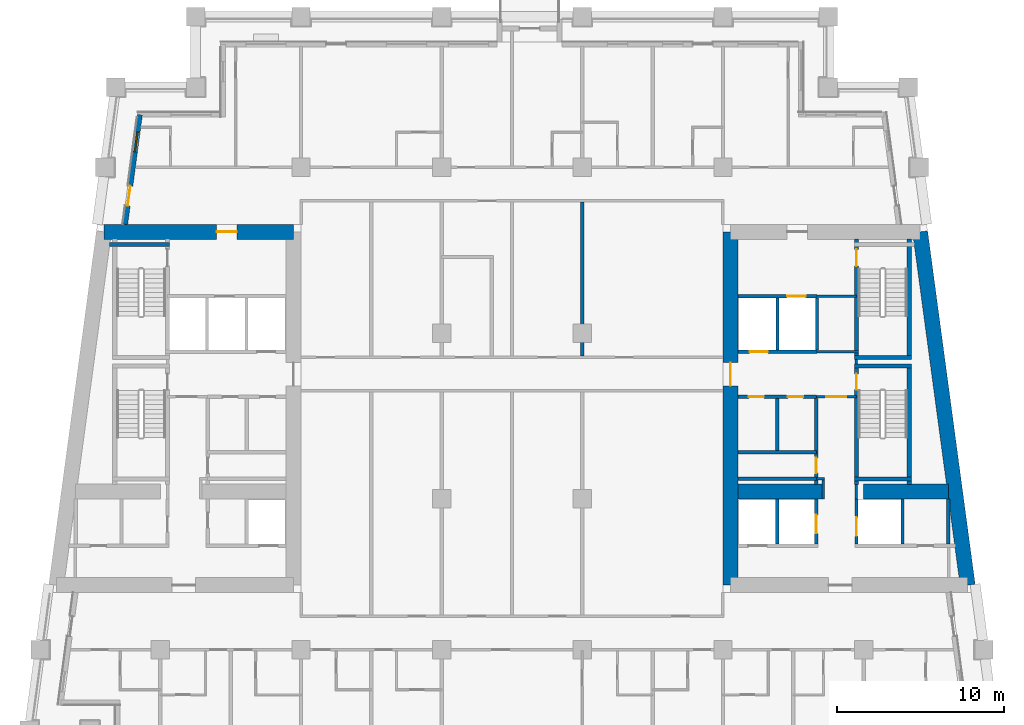
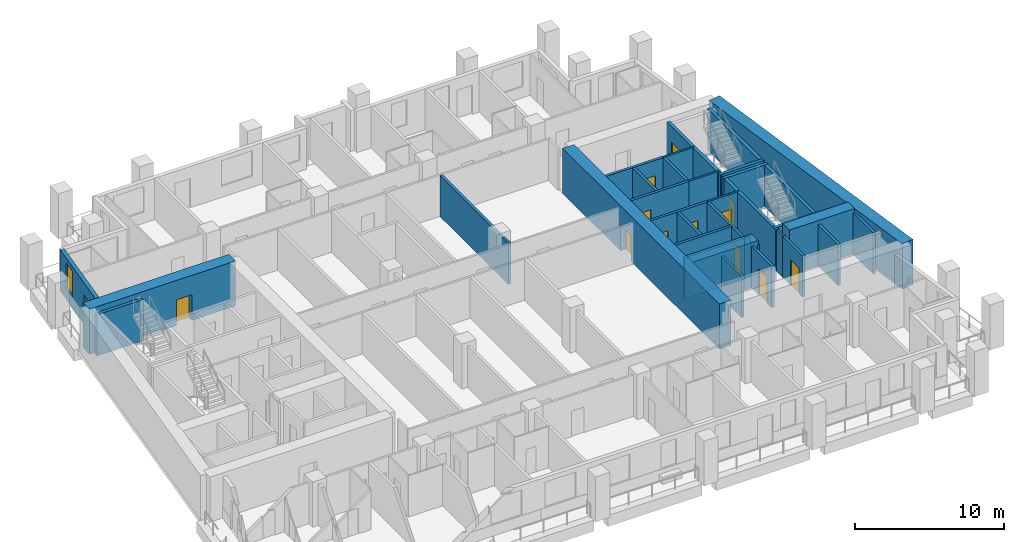
# One storey, part 6 of 14: 36 walls, 13 doors, 1 window, 14 openings.
"""IFC4 building model written with IfcOpenShell, lengths in metres."""

from ifc_helpers import new_model, si_unit, direction, frame, frame_2d, origin, place, context, subcontext, project, spatial, rectangle, extrude, material, layer, layer_set, type_object, element, fill, save


model = new_model("IFC4")

# Units and contexts
model_context = context("Model", 3, precision=1e-05, world=origin(), true_north=direction((0.0, 1.0)))
body_context = subcontext(model_context, "Body", "Model", "MODEL_VIEW")
ifc_project = project(units=[si_unit("LENGTHUNIT", "METRE"), si_unit("AREAUNIT", "SQUARE_METRE"), si_unit("VOLUMEUNIT", "CUBIC_METRE"), si_unit("PLANEANGLEUNIT", "RADIAN"), si_unit("MASSUNIT", "GRAM", prefix="KILO")], contexts=[model_context])

# Site, building, storey
site_placement = place(None, origin())
site = spatial("IfcSite", under=ifc_project, at=site_placement, CompositionType="ELEMENT")
building_placement = place(site_placement, origin())
building = spatial("IfcBuilding", under=site, at=building_placement, Name="Candeia Pilgrim Tower and Theatre", CompositionType="ELEMENT")
storey_placement = place(building_placement, frame((0.0, 0.0, 173.699951171875)))
storey = spatial("IfcBuildingStorey", under=building, at=storey_placement, Name="L41", CompositionType="ELEMENT", Elevation=173.699951171875)

# Wall, opening, door
ifc_material_1 = material(Name="Concrete C60/75", Category="concrete")
ifc_layer_1 = layer(ifc_material_1, 0.89990234375)
ifc_layer_set_1 = layer_set([ifc_layer_1], Name="Core wall 900 C60/75")
wall_type_1 = type_object("IfcWallType", Name="Core wall 900 C60/75", PredefinedType="SHEAR", material=ifc_layer_set_1)
wall_1_placement = place(storey_placement, frame((89.024169921875, 131.949951171875, 0.0), z_axis=(0.0, 0.0, 1.0), x_axis=(1.0, 0.0, 0.0)))
wall_1 = element("IfcWall", 1, at=wall_1_placement, inside=storey, type_object=wall_type_1, Name="Core wall W1", PredefinedType="SHEAR", context=body_context, shape_type="SweptSolid", body=[
    extrude(rectangle(XDim=11.325927734375, YDim=0.89990234375, at=frame_2d((5.6630859375, 0.0))), origin(), (0.0, 0.0, 1.0), 3.699951171875),
])
opening_1_placement = place(wall_1_placement, frame((6.7392578125, 0.0, 0.0)))
opening_1 = element("IfcOpeningElement", 2, at=opening_1_placement, cuts=wall_1, Name="Opening L41-D065", PredefinedType="OPENING", context=body_context, shape_type="SweptSolid", body=[
    extrude(rectangle(XDim=1.199951171875, YDim=2.10009765625, at=frame_2d((0.60009765625, 1.050048828125))), frame((0.0, 0.4599609375, 0.0), z_axis=(0.0, -1.0, 0.0), x_axis=(1.0, 0.0, 0.0)), (0.0, 0.0, 1.0), 0.919921875),
])
ifc_material_2 = material(Name="Steel fire door set", Category="steel")
door_type_1 = type_object("IfcDoorType", Name="D-1200-FD60", OperationType="NOTDEFINED", PredefinedType="DOOR", material=ifc_material_2)
door_1_placement = place(opening_1_placement, origin())
door_1 = element("IfcDoor", 3, at=door_1_placement, inside=storey, type_object=door_type_1, Name="Door L41-D065", OperationType="SINGLE_SWING_RIGHT", OverallHeight=2.10009765625, OverallWidth=1.199951171875, PredefinedType="DOOR", context=body_context, shape_type="SweptSolid", body=[
    extrude(rectangle(XDim=1.199951171875, YDim=2.10009765625, at=frame_2d((0.60009765625, 1.050048828125))), frame((0.0, 0.02490234375, 0.0), z_axis=(0.0, -1.0, 0.0), x_axis=(1.0, 0.0, 0.0)), (0.0, 0.0, 1.0), 0.050048828125),
])
fill(opening_1, door_1)

# Wall
wall_2_placement = place(storey_placement, frame((137.775634765625, 131.949951171875, 0.0), z_axis=(0.0, 0.0, 1.0), x_axis=(0.133421759112, -0.991059349482, 0.0)))
element("IfcWall", 4, at=wall_2_placement, inside=storey, type_object=wall_type_1, Name="Core wall E2", PredefinedType="SHEAR", context=body_context, shape_type="SweptSolid", body=[
    extrude(rectangle(XDim=21.290283203125, YDim=0.89990234375, at=frame_2d((10.64501953125, 0.0))), origin(), (0.0, 0.0, 1.0), 3.699951171875),
])

# Wall, opening, door
wall_3_placement = place(storey_placement, frame((126.449951171875, 110.85009765625, 0.0), z_axis=(0.0, 0.0, 1.0), x_axis=(0.0, 1.0, 0.0)))
wall_3 = element("IfcWall", 5, at=wall_3_placement, inside=storey, type_object=wall_type_1, Name="Core wall E4", PredefinedType="SHEAR", context=body_context, shape_type="SweptSolid", body=[
    extrude(rectangle(XDim=21.099853515625, YDim=0.89990234375, at=frame_2d((10.5498046875, 0.0))), origin(), (0.0, 0.0, 1.0), 3.699951171875),
])
opening_2_placement = place(wall_3_placement, frame((11.89990234375, 0.0, 0.0)))
opening_2 = element("IfcOpeningElement", 6, at=opening_2_placement, cuts=wall_3, Name="Opening L41-D069", PredefinedType="OPENING", context=body_context, shape_type="SweptSolid", body=[
    extrude(rectangle(XDim=1.39990234375, YDim=2.10009765625, at=frame_2d((0.699951171875, 1.050048828125))), frame((0.0, 0.4599609375, 0.0), z_axis=(0.0, -1.0, 0.0), x_axis=(1.0, 0.0, 0.0)), (0.0, 0.0, 1.0), 0.919921875),
])
door_type_2 = type_object("IfcDoorType", Name="D-1400-FD60", OperationType="NOTDEFINED", PredefinedType="DOOR", material=ifc_material_2)
door_2_placement = place(opening_2_placement, origin())
door_2 = element("IfcDoor", 7, at=door_2_placement, inside=storey, type_object=door_type_2, Name="Door L41-D069", OperationType="SINGLE_SWING_RIGHT", OverallHeight=2.10009765625, OverallWidth=1.39990234375, PredefinedType="DOOR", context=body_context, shape_type="SweptSolid", body=[
    extrude(rectangle(XDim=1.39990234375, YDim=2.10009765625, at=frame_2d((0.699951171875, 1.050048828125))), frame((0.0, 0.02490234375, 0.0), z_axis=(0.0, -1.0, 0.0), x_axis=(1.0, 0.0, 0.0)), (0.0, 0.0, 1.0), 0.050048828125),
])
fill(opening_2, door_2)

# Walls
wall_4_placement = place(storey_placement, frame((126.89990234375, 116.449951171875, 0.0), z_axis=(0.0, 0.0, 1.0), x_axis=(1.0, 0.0, 0.0)))
element("IfcWall", 8, at=wall_4_placement, inside=storey, type_object=wall_type_1, Name="Core wall E5", PredefinedType="SHEAR", context=body_context, shape_type="SweptSolid", body=[
    extrude(rectangle(XDim=5.10009765625, YDim=0.89990234375, at=frame_2d((2.550048828125, 0.0))), origin(), (0.0, 0.0, 1.0), 3.699951171875),
])
wall_5_placement = place(storey_placement, frame((134.39990234375, 116.449951171875, 0.0), z_axis=(0.0, 0.0, 1.0), x_axis=(1.0, 0.0, 0.0)))
element("IfcWall", 9, at=wall_5_placement, inside=storey, type_object=wall_type_1, Name="Core wall E6", PredefinedType="SHEAR", context=body_context, shape_type="SweptSolid", body=[
    extrude(rectangle(XDim=5.076904296875, YDim=0.89990234375, at=frame_2d((2.53857421875, 0.0))), origin(), (0.0, 0.0, 1.0), 3.699951171875),
])

# Wall, openings, door, window
ifc_material_3 = material(Name="Ceramic block masonry", Category="masonry")
ifc_layer_2 = layer(ifc_material_3, 0.300048828125)
ifc_layer_set_2 = layer_set([ifc_layer_2], Name="EW1 glazing-line wall 300")
wall_type_2 = type_object("IfcWallType", Name="EW1 glazing-line wall 300", PredefinedType="SOLIDWALL", material=ifc_layer_set_2)
wall_6_placement = place(storey_placement, frame((91.177490234375, 138.949951171875, 0.0), z_axis=(0.0, 0.0, 1.0), x_axis=(-0.133426664613, -0.991058689065, 0.0)))
wall_6 = element("IfcWall", 10, at=wall_6_placement, inside=storey, type_object=wall_type_2, Name="External wall L41-9.0", PredefinedType="SOLIDWALL", context=body_context, shape_type="SweptSolid", body=[
    extrude(rectangle(XDim=6.609130859375, YDim=0.300048828125, at=frame_2d((3.3046875, 0.0))), origin(), (0.0, 0.0, 1.0), 3.380126953125),
])
opening_3_placement = place(wall_6_placement, frame((1.039306640625, 0.0, 0.89990234375)))
opening_3 = element("IfcOpeningElement", 11, at=opening_3_placement, cuts=wall_6, Name="Opening W-B", PredefinedType="OPENING", context=body_context, shape_type="SweptSolid", body=[
    extrude(rectangle(XDim=1.199951171875, YDim=2.10009765625, at=frame_2d((0.60009765625, 1.050048828125))), frame((0.0, 0.16015625, 0.0), z_axis=(0.0, -1.0, 0.0), x_axis=(1.0, 0.0, 0.0)), (0.0, 0.0, 1.0), 0.320068359375),
])
opening_4_placement = place(wall_6_placement, frame((4.293701171875, 0.0, 0.0)))
opening_4 = element("IfcOpeningElement", 12, at=opening_4_placement, cuts=wall_6, Name="Opening L41-ED399", PredefinedType="OPENING", context=body_context, shape_type="SweptSolid", body=[
    extrude(rectangle(XDim=1.199951171875, YDim=2.39990234375, at=frame_2d((0.60009765625, 1.199951171875))), frame((0.0, 0.16015625, 0.0), z_axis=(0.0, -1.0, 0.0), x_axis=(1.0, 0.0, 0.0)), (0.0, 0.0, 1.0), 0.320068359375),
])
ifc_material_4 = material(Name="Aluminium framed glazed door", Category="aluminium")
door_type_3 = type_object("IfcDoorType", Name="Loggia door 1200x2400", OperationType="DOUBLE_DOOR_SINGLE_SWING", PredefinedType="DOOR", material=ifc_material_4)
door_3_placement = place(opening_4_placement, origin())
door_3 = element("IfcDoor", 13, at=door_3_placement, inside=storey, type_object=door_type_3, Name="Loggia door L41-ED399", OperationType="DOUBLE_DOOR_SINGLE_SWING", OverallHeight=2.39990234375, OverallWidth=1.199951171875, PredefinedType="DOOR", context=body_context, shape_type="SweptSolid", body=[
    extrude(rectangle(XDim=1.199951171875, YDim=2.39990234375, at=frame_2d((0.60009765625, 1.199951171875))), frame((0.0, 0.02490234375, 0.0), z_axis=(0.0, -1.0, 0.0), x_axis=(1.0, 0.0, 0.0)), (0.0, 0.0, 1.0), 0.050048828125),
])
fill(opening_4, door_3)
ifc_material_5 = material(Name="Aluminium framed double glazing", Category="aluminium")
window_type = type_object("IfcWindowType", Name="W-B window 1200x2100", PartitioningType="SINGLE_PANEL", PredefinedType="WINDOW", material=ifc_material_5)
window_placement = place(opening_3_placement, origin())
window = element("IfcWindow", 14, at=window_placement, inside=storey, type_object=window_type, Name="Window W-B L41", OverallHeight=2.10009765625, OverallWidth=1.199951171875, PartitioningType="SINGLE_PANEL", PredefinedType="WINDOW", context=body_context, shape_type="SweptSolid", body=[
    extrude(rectangle(XDim=1.199951171875, YDim=2.10009765625, at=frame_2d((0.60009765625, 1.050048828125))), frame((0.0, 0.030029296875, 0.0), z_axis=(0.0, -1.0, 0.0), x_axis=(1.0, 0.0, 0.0)), (0.0, 0.0, 1.0), 0.06005859375),
])
fill(opening_3, window)

# Wall
ifc_material_6 = material(Name="Gypsum board partition on steel studs", Category="steel")
ifc_layer_3 = layer(ifc_material_6, 0.14990234375)
ifc_layer_set_3 = layer_set([ifc_layer_3], Name="PW-150 lobby wall")
wall_type_3 = type_object("IfcWallType", Name="PW-150 lobby wall", PredefinedType="PARTITIONING", material=ifc_layer_set_3)
wall_7_placement = place(storey_placement, frame((131.572998046875, 117.199951171875, 0.0), z_axis=(0.0, 0.0, 1.0), x_axis=(1.0, 0.0, 0.0)))
element("IfcWall", 15, at=wall_7_placement, inside=storey, type_object=wall_type_3, Name="Lobby wall L41-020", PredefinedType="PARTITIONING", context=body_context, shape_type="SweptSolid", body=[
    extrude(rectangle(XDim=0.501953125, YDim=0.14990234375, at=frame_2d((0.2509765625, 0.0))), origin(), (0.0, 0.0, 1.0), 3.380126953125),
])

# Wall, opening, door
wall_8_placement = place(storey_placement, frame((131.572998046875, 122.10009765625, 0.0), z_axis=(0.0, 0.0, 1.0), x_axis=(1.0, 0.0, 0.0)))
wall_8 = element("IfcWall", 16, at=wall_8_placement, inside=storey, type_object=wall_type_3, Name="Lobby wall L41-028", PredefinedType="PARTITIONING", context=body_context, shape_type="SweptSolid", body=[
    extrude(rectangle(XDim=2.39990234375, YDim=0.14990234375, at=frame_2d((1.199951171875, 0.0))), origin(), (0.0, 0.0, 1.0), 3.380126953125),
])
opening_5_placement = place(wall_8_placement, frame((0.60009765625, 0.0, 0.0)))
opening_5 = element("IfcOpeningElement", 17, at=opening_5_placement, cuts=wall_8, Name="Opening L41-D010", PredefinedType="OPENING", context=body_context, shape_type="SweptSolid", body=[
    extrude(rectangle(XDim=1.199951171875, YDim=2.10009765625, at=frame_2d((0.60009765625, 1.050048828125))), frame((0.0, 0.0849609375, 0.0), z_axis=(0.0, -1.0, 0.0), x_axis=(1.0, 0.0, 0.0)), (0.0, 0.0, 1.0), 0.169921875),
])
door_4_placement = place(opening_5_placement, origin())
door_4 = element("IfcDoor", 18, at=door_4_placement, inside=storey, type_object=door_type_1, Name="Door L41-D010", OperationType="SINGLE_SWING_RIGHT", OverallHeight=2.10009765625, OverallWidth=1.199951171875, PredefinedType="DOOR", context=body_context, shape_type="SweptSolid", body=[
    extrude(rectangle(XDim=1.199951171875, YDim=2.10009765625, at=frame_2d((0.60009765625, 1.050048828125))), frame((0.0, 0.02490234375, 0.0), z_axis=(0.0, -1.0, 0.0), x_axis=(1.0, 0.0, 0.0)), (0.0, 0.0, 1.0), 0.050048828125),
])
fill(opening_5, door_4)

# Walls
wall_9_placement = place(storey_placement, frame((131.615234375, 124.800048828125, 0.0), z_axis=(0.0, 0.0, 1.0), x_axis=(1.0, 0.0, 0.0)))
element("IfcWall", 19, at=wall_9_placement, inside=storey, type_object=wall_type_3, Name="Lobby wall L41-037", PredefinedType="PARTITIONING", context=body_context, shape_type="SweptSolid", body=[
    extrude(rectangle(XDim=2.482666015625, YDim=0.14990234375, at=frame_2d((1.2412109375, 0.0))), origin(), (0.0, 0.0, 1.0), 3.380126953125),
])
wall_10_placement = place(storey_placement, frame((131.615234375, 128.10009765625, 0.0), z_axis=(0.0, 0.0, 1.0), x_axis=(1.0, 0.0, 0.0)))
element("IfcWall", 20, at=wall_10_placement, inside=storey, type_object=wall_type_3, Name="Lobby wall L41-040", PredefinedType="PARTITIONING", context=body_context, shape_type="SweptSolid", body=[
    extrude(rectangle(XDim=2.357666015625, YDim=0.14990234375, at=frame_2d((1.1787109375, 0.0))), origin(), (0.0, 0.0, 1.0), 3.380126953125),
])
wall_11_placement = place(storey_placement, frame((132.0, 116.0, 0.0), z_axis=(0.0, 0.0, 1.0), x_axis=(0.0, 1.0, 0.0)))
element("IfcWall", 21, at=wall_11_placement, inside=storey, type_object=wall_type_3, Name="Lobby wall L41-119", PredefinedType="PARTITIONING", context=body_context, shape_type="SweptSolid", body=[
    extrude(rectangle(XDim=1.125, YDim=0.14990234375, at=frame_2d((0.5625, 0.0))), origin(), (0.0, 0.0, 1.0), 3.380126953125),
])
wall_12_placement = place(storey_placement, frame((133.972900390625, 116.0, 0.0), z_axis=(0.0, 0.0, 1.0), x_axis=(0.0, 1.0, 0.0)))
element("IfcWall", 22, at=wall_12_placement, inside=storey, type_object=wall_type_3, Name="Lobby wall L41-122", PredefinedType="PARTITIONING", context=body_context, shape_type="SweptSolid", body=[
    extrude(rectangle(XDim=0.8701171875, YDim=0.14990234375, at=frame_2d((0.43505859375, 0.0))), origin(), (0.0, 0.0, 1.0), 3.380126953125),
])
wall_13_placement = place(storey_placement, frame((133.972900390625, 124.074951171875, 0.0), z_axis=(0.0, 0.0, 1.0), x_axis=(0.0, 1.0, 0.0)))
element("IfcWall", 23, at=wall_13_placement, inside=storey, type_object=wall_type_3, Name="Lobby wall L41-123", PredefinedType="PARTITIONING", context=body_context, shape_type="SweptSolid", body=[
    extrude(rectangle(XDim=0.25, YDim=0.14990234375, at=frame_2d((0.125, 0.0))), origin(), (0.0, 0.0, 1.0), 3.380126953125),
])
ifc_layer_4 = layer(ifc_material_6, 0.199951171875)
ifc_layer_set_4 = layer_set([ifc_layer_4], Name="PW-200 party wall")
wall_type_4 = type_object("IfcWallType", Name="PW-200 party wall", PredefinedType="PARTITIONING", material=ifc_layer_set_4)
wall_14_placement = place(storey_placement, frame((117.60009765625, 124.52490234375, 0.0), z_axis=(0.0, 0.0, 1.0), x_axis=(0.0, 1.0, 0.0)))
element("IfcWall", 24, at=wall_14_placement, inside=storey, type_object=wall_type_4, Name="Party wall L41-097", PredefinedType="PARTITIONING", context=body_context, shape_type="SweptSolid", body=[
    extrude(rectangle(XDim=9.2001953125, YDim=0.199951171875, at=frame_2d((4.60009765625, 0.0))), origin(), (0.0, 0.0, 1.0), 3.380126953125),
])
ifc_material_7 = material(Name="Concrete C40/50", Category="concrete")
ifc_layer_5 = layer(ifc_material_7, 0.199951171875)
ifc_layer_set_5 = layer_set([ifc_layer_5], Name="SW-200 shaft wall")
wall_type_5 = type_object("IfcWallType", Name="SW-200 shaft wall", PredefinedType="PARTITIONING", material=ifc_layer_set_5)
for number, where, z_axis, x_axis, name in (
    (25, (126.89990234375, 117.199951171875, 0.0), (0.0, 0.0, 1.0), (1.0, 0.0, 0.0), "Shaft wall L41-018"),
    (26, (126.89990234375, 118.800048828125, 0.0), (0.0, 0.0, 1.0), (1.0, 0.0, 0.0), "Shaft wall L41-024"),
):
    element("IfcWall", number, at=place(storey_placement, frame(where, z_axis=z_axis, x_axis=x_axis)), inside=storey, type_object=wall_type_5, Name=name, PredefinedType="PARTITIONING", context=body_context, shape_type="SweptSolid", body=[
        extrude(rectangle(XDim=4.673095703125, YDim=0.199951171875, at=frame_2d((2.33642578125, 0.0))), origin(), (0.0, 0.0, 1.0), 3.380126953125),
    ])

# Wall, openings, doors
wall_15_placement = place(storey_placement, frame((126.89990234375, 122.10009765625, 0.0), z_axis=(0.0, 0.0, 1.0), x_axis=(1.0, 0.0, 0.0)))
wall_15 = element("IfcWall", 27, at=wall_15_placement, inside=storey, type_object=wall_type_5, Name="Shaft wall L41-026", PredefinedType="PARTITIONING", context=body_context, shape_type="SweptSolid", body=[
    extrude(rectangle(XDim=4.673095703125, YDim=0.199951171875, at=frame_2d((2.33642578125, 0.0))), origin(), (0.0, 0.0, 1.0), 3.380126953125),
])
opening_6_placement = place(wall_15_placement, frame((2.98095703125, 0.0, 0.0)))
opening_6 = element("IfcOpeningElement", 28, at=opening_6_placement, cuts=wall_15, Name="Opening L41-D011", PredefinedType="OPENING", context=body_context, shape_type="SweptSolid", body=[
    extrude(rectangle(XDim=0.89990234375, YDim=2.10009765625, at=frame_2d((0.449951171875, 1.050048828125))), frame((0.0, 0.10986328125, 0.0), z_axis=(0.0, -1.0, 0.0), x_axis=(1.0, 0.0, 0.0)), (0.0, 0.0, 1.0), 0.219970703125),
])
opening_7_placement = place(wall_15_placement, frame((0.64501953125, 0.0, 0.0)))
opening_7 = element("IfcOpeningElement", 29, at=opening_7_placement, cuts=wall_15, Name="Opening L41-D012", PredefinedType="OPENING", context=body_context, shape_type="SweptSolid", body=[
    extrude(rectangle(XDim=0.89990234375, YDim=2.10009765625, at=frame_2d((0.449951171875, 1.050048828125))), frame((0.0, 0.10986328125, 0.0), z_axis=(0.0, -1.0, 0.0), x_axis=(1.0, 0.0, 0.0)), (0.0, 0.0, 1.0), 0.219970703125),
])
door_type_4 = type_object("IfcDoorType", Name="D-900-FD60", OperationType="NOTDEFINED", PredefinedType="DOOR", material=ifc_material_2)
door_5_placement = place(opening_6_placement, origin())
door_5 = element("IfcDoor", 30, at=door_5_placement, inside=storey, type_object=door_type_4, Name="Door L41-D011", OperationType="SINGLE_SWING_LEFT", OverallHeight=2.10009765625, OverallWidth=0.89990234375, PredefinedType="DOOR", context=body_context, shape_type="SweptSolid", body=[
    extrude(rectangle(XDim=0.89990234375, YDim=2.10009765625, at=frame_2d((0.449951171875, 1.050048828125))), frame((0.0, 0.02490234375, 0.0), z_axis=(0.0, -1.0, 0.0), x_axis=(1.0, 0.0, 0.0)), (0.0, 0.0, 1.0), 0.050048828125),
])
fill(opening_6, door_5)
door_6_placement = place(opening_7_placement, origin())
door_6 = element("IfcDoor", 31, at=door_6_placement, inside=storey, type_object=door_type_4, Name="Door L41-D012", OperationType="SINGLE_SWING_RIGHT", OverallHeight=2.10009765625, OverallWidth=0.89990234375, PredefinedType="DOOR", context=body_context, shape_type="SweptSolid", body=[
    extrude(rectangle(XDim=0.89990234375, YDim=2.10009765625, at=frame_2d((0.449951171875, 1.050048828125))), frame((0.0, 0.02490234375, 0.0), z_axis=(0.0, -1.0, 0.0), x_axis=(1.0, 0.0, 0.0)), (0.0, 0.0, 1.0), 0.050048828125),
])
fill(opening_7, door_6)

# Wall, opening, door
wall_16_placement = place(storey_placement, frame((126.89990234375, 124.800048828125, 0.0), z_axis=(0.0, 0.0, 1.0), x_axis=(1.0, 0.0, 0.0)))
wall_16 = element("IfcWall", 32, at=wall_16_placement, inside=storey, type_object=wall_type_5, Name="Shaft wall L41-036", PredefinedType="PARTITIONING", context=body_context, shape_type="SweptSolid", body=[
    extrude(rectangle(XDim=4.71533203125, YDim=0.199951171875, at=frame_2d((2.357666015625, 0.0))), origin(), (0.0, 0.0, 1.0), 3.380126953125),
])
opening_8_placement = place(wall_16_placement, frame((0.68505859375, 0.0, 0.0)))
opening_8 = element("IfcOpeningElement", 33, at=opening_8_placement, cuts=wall_16, Name="Opening L41-LD05", PredefinedType="OPENING", context=body_context, shape_type="SweptSolid", body=[
    extrude(rectangle(XDim=1.10009765625, YDim=2.10009765625, at=frame_2d((0.550048828125, 1.050048828125))), frame((0.0, 0.10986328125, 0.0), z_axis=(0.0, -1.0, 0.0), x_axis=(1.0, 0.0, 0.0)), (0.0, 0.0, 1.0), 0.219970703125),
])
ifc_material_8 = material(Name="Glazed aluminium landing door", Category="aluminium")
door_type_5 = type_object("IfcDoorType", Name="LD-1100-EI120", OperationType="SLIDING_TO_LEFT", PredefinedType="DOOR", material=ifc_material_8)
door_7_placement = place(opening_8_placement, origin())
door_7 = element("IfcDoor", 34, at=door_7_placement, inside=storey, type_object=door_type_5, Name="Landing door 05 L41", OperationType="SLIDING_TO_LEFT", OverallHeight=2.10009765625, OverallWidth=1.10009765625, PredefinedType="DOOR", context=body_context, shape_type="SweptSolid", body=[
    extrude(rectangle(XDim=1.10009765625, YDim=2.10009765625, at=frame_2d((0.550048828125, 1.050048828125))), frame((0.0, 0.02490234375, 0.0), z_axis=(0.0, -1.0, 0.0), x_axis=(1.0, 0.0, 0.0)), (0.0, 0.0, 1.0), 0.050048828125),
])
fill(opening_8, door_7)

wall_17_placement = place(storey_placement, frame((126.89990234375, 128.10009765625, 0.0), z_axis=(0.0, 0.0, 1.0), x_axis=(1.0, 0.0, 0.0)))
wall_17 = element("IfcWall", 35, at=wall_17_placement, inside=storey, type_object=wall_type_5, Name="Shaft wall L41-039", PredefinedType="PARTITIONING", context=body_context, shape_type="SweptSolid", body=[
    extrude(rectangle(XDim=4.71533203125, YDim=0.199951171875, at=frame_2d((2.357666015625, 0.0))), origin(), (0.0, 0.0, 1.0), 3.380126953125),
])
opening_9_placement = place(wall_17_placement, frame((2.930908203125, 0.0, 0.0)))
opening_9 = element("IfcOpeningElement", 36, at=opening_9_placement, cuts=wall_17, Name="Opening L41-LD04", PredefinedType="OPENING", context=body_context, shape_type="SweptSolid", body=[
    extrude(rectangle(XDim=1.10009765625, YDim=2.10009765625, at=frame_2d((0.550048828125, 1.050048828125))), frame((0.0, 0.10986328125, 0.0), z_axis=(0.0, -1.0, 0.0), x_axis=(1.0, 0.0, 0.0)), (0.0, 0.0, 1.0), 0.219970703125),
])
door_8_placement = place(opening_9_placement, origin())
door_8 = element("IfcDoor", 37, at=door_8_placement, inside=storey, type_object=door_type_5, Name="Landing door 04 L41", OperationType="SLIDING_TO_LEFT", OverallHeight=2.10009765625, OverallWidth=1.10009765625, PredefinedType="DOOR", context=body_context, shape_type="SweptSolid", body=[
    extrude(rectangle(XDim=1.10009765625, YDim=2.10009765625, at=frame_2d((0.550048828125, 1.050048828125))), frame((0.0, 0.02490234375, 0.0), z_axis=(0.0, -1.0, 0.0), x_axis=(1.0, 0.0, 0.0)), (0.0, 0.0, 1.0), 0.050048828125),
])
fill(opening_9, door_8)

# Walls
wall_18_placement = place(storey_placement, frame((129.236572265625, 113.300048828125, 0.0), z_axis=(0.0, 0.0, 1.0), x_axis=(0.0, 1.0, 0.0)))
element("IfcWall", 38, at=wall_18_placement, inside=storey, type_object=wall_type_5, Name="Shaft wall L41-110", PredefinedType="PARTITIONING", context=body_context, shape_type="SweptSolid", body=[
    extrude(rectangle(XDim=2.699951171875, YDim=0.199951171875, at=frame_2d((1.35009765625, 0.0))), origin(), (0.0, 0.0, 1.0), 3.380126953125),
])
for number, where, z_axis, x_axis, name in (
    (39, (129.236572265625, 118.89990234375, 0.0), (0.0, 0.0, 1.0), (0.0, 1.0, 0.0), "Shaft wall L41-111"),
    (40, (129.2578125, 124.89990234375, 0.0), (0.0, 0.0, 1.0), (0.0, 1.0, 0.0), "Shaft wall L41-112"),
):
    element("IfcWall", number, at=place(storey_placement, frame(where, z_axis=z_axis, x_axis=x_axis)), inside=storey, type_object=wall_type_5, Name=name, PredefinedType="PARTITIONING", context=body_context, shape_type="SweptSolid", body=[
        extrude(rectangle(XDim=3.10009765625, YDim=0.199951171875, at=frame_2d((1.550048828125, 0.0))), origin(), (0.0, 0.0, 1.0), 3.380126953125),
    ])

# Wall, opening, door
wall_19_placement = place(storey_placement, frame((131.572998046875, 113.300048828125, 0.0), z_axis=(0.0, 0.0, 1.0), x_axis=(0.0, 1.0, 0.0)))
wall_19 = element("IfcWall", 41, at=wall_19_placement, inside=storey, type_object=wall_type_5, Name="Shaft wall L41-115", PredefinedType="PARTITIONING", context=body_context, shape_type="SweptSolid", body=[
    extrude(rectangle(XDim=2.699951171875, YDim=0.199951171875, at=frame_2d((1.35009765625, 0.0))), origin(), (0.0, 0.0, 1.0), 3.380126953125),
])
opening_10_placement = place(wall_19_placement, frame((0.64990234375, 0.0, 0.0)))
opening_10 = element("IfcOpeningElement", 42, at=opening_10_placement, cuts=wall_19, Name="Opening L41-LD07", PredefinedType="OPENING", context=body_context, shape_type="SweptSolid", body=[
    extrude(rectangle(XDim=1.10009765625, YDim=2.10009765625, at=frame_2d((0.550048828125, 1.050048828125))), frame((0.0, 0.10986328125, 0.0), z_axis=(0.0, -1.0, 0.0), x_axis=(1.0, 0.0, 0.0)), (0.0, 0.0, 1.0), 0.219970703125),
])
door_9_placement = place(opening_10_placement, origin())
door_9 = element("IfcDoor", 43, at=door_9_placement, inside=storey, type_object=door_type_5, Name="Landing door 07 L41", OperationType="SLIDING_TO_LEFT", OverallHeight=2.10009765625, OverallWidth=1.10009765625, PredefinedType="DOOR", context=body_context, shape_type="SweptSolid", body=[
    extrude(rectangle(XDim=1.10009765625, YDim=2.10009765625, at=frame_2d((0.550048828125, 1.050048828125))), frame((0.0, 0.02490234375, 0.0), z_axis=(0.0, -1.0, 0.0), x_axis=(1.0, 0.0, 0.0)), (0.0, 0.0, 1.0), 0.050048828125),
])
fill(opening_10, door_9)

wall_20_placement = place(storey_placement, frame((131.572998046875, 116.8701171875, 0.0), z_axis=(0.0, 0.0, 1.0), x_axis=(0.0, 1.0, 0.0)))
wall_20 = element("IfcWall", 44, at=wall_20_placement, inside=storey, type_object=wall_type_5, Name="Shaft wall L41-116", PredefinedType="PARTITIONING", context=body_context, shape_type="SweptSolid", body=[
    extrude(rectangle(XDim=5.1298828125, YDim=0.199951171875, at=frame_2d((2.56494140625, 0.0))), origin(), (0.0, 0.0, 1.0), 3.380126953125),
])
opening_11_placement = place(wall_20_placement, frame((0.679931640625, 0.0, 0.0)))
opening_11 = element("IfcOpeningElement", 45, at=opening_11_placement, cuts=wall_20, Name="Opening L41-D015", PredefinedType="OPENING", context=body_context, shape_type="SweptSolid", body=[
    extrude(rectangle(XDim=0.89990234375, YDim=2.10009765625, at=frame_2d((0.449951171875, 1.050048828125))), frame((0.0, 0.10986328125, 0.0), z_axis=(0.0, -1.0, 0.0), x_axis=(1.0, 0.0, 0.0)), (0.0, 0.0, 1.0), 0.219970703125),
])
door_10_placement = place(opening_11_placement, origin())
door_10 = element("IfcDoor", 46, at=door_10_placement, inside=storey, type_object=door_type_4, Name="Door L41-D015", OperationType="SINGLE_SWING_LEFT", OverallHeight=2.10009765625, OverallWidth=0.89990234375, PredefinedType="DOOR", context=body_context, shape_type="SweptSolid", body=[
    extrude(rectangle(XDim=0.89990234375, YDim=2.10009765625, at=frame_2d((0.449951171875, 1.050048828125))), frame((0.0, 0.02490234375, 0.0), z_axis=(0.0, -1.0, 0.0), x_axis=(1.0, 0.0, 0.0)), (0.0, 0.0, 1.0), 0.050048828125),
])
fill(opening_11, door_10)

# Wall
wall_21_placement = place(storey_placement, frame((131.615234375, 124.89990234375, 0.0), z_axis=(0.0, 0.0, 1.0), x_axis=(0.0, 1.0, 0.0)))
element("IfcWall", 47, at=wall_21_placement, inside=storey, type_object=wall_type_5, Name="Shaft wall L41-117", PredefinedType="PARTITIONING", context=body_context, shape_type="SweptSolid", body=[
    extrude(rectangle(XDim=3.10009765625, YDim=0.199951171875, at=frame_2d((1.550048828125, 0.0))), origin(), (0.0, 0.0, 1.0), 3.380126953125),
])

# Wall, opening, door
wall_22_placement = place(storey_placement, frame((133.972900390625, 113.300048828125, 0.0), z_axis=(0.0, 0.0, 1.0), x_axis=(0.0, 1.0, 0.0)))
wall_22 = element("IfcWall", 48, at=wall_22_placement, inside=storey, type_object=wall_type_5, Name="Shaft wall L41-121", PredefinedType="PARTITIONING", context=body_context, shape_type="SweptSolid", body=[
    extrude(rectangle(XDim=2.699951171875, YDim=0.199951171875, at=frame_2d((1.35009765625, 0.0))), origin(), (0.0, 0.0, 1.0), 3.380126953125),
])
opening_12_placement = place(wall_22_placement, frame((0.5, 0.0, 0.0)))
opening_12 = element("IfcOpeningElement", 49, at=opening_12_placement, cuts=wall_22, Name="Opening L41-LD06", PredefinedType="OPENING", context=body_context, shape_type="SweptSolid", body=[
    extrude(rectangle(XDim=1.10009765625, YDim=2.10009765625, at=frame_2d((0.550048828125, 1.050048828125))), frame((0.0, 0.10986328125, 0.0), z_axis=(0.0, -1.0, 0.0), x_axis=(1.0, 0.0, 0.0)), (0.0, 0.0, 1.0), 0.219970703125),
])
door_11_placement = place(opening_12_placement, origin())
door_11 = element("IfcDoor", 50, at=door_11_placement, inside=storey, type_object=door_type_5, Name="Landing door 06 L41", OperationType="SLIDING_TO_LEFT", OverallHeight=2.10009765625, OverallWidth=1.10009765625, PredefinedType="DOOR", context=body_context, shape_type="SweptSolid", body=[
    extrude(rectangle(XDim=1.10009765625, YDim=2.10009765625, at=frame_2d((0.550048828125, 1.050048828125))), frame((0.0, 0.02490234375, 0.0), z_axis=(0.0, -1.0, 0.0), x_axis=(1.0, 0.0, 0.0)), (0.0, 0.0, 1.0), 0.050048828125),
])
fill(opening_12, door_11)

# Walls
for number, where, z_axis, x_axis, name in (
    (51, (136.722412109375, 113.300048828125, 0.0), (0.0, 0.0, 1.0), (0.0, 1.0, 0.0), "Shaft wall L41-127"),
    (52, (139.44970703125, 113.300048828125, 0.0), (0.0, 0.0, 1.0), (0.0, 1.0, 0.0), "Shaft wall L41-131"),
):
    element("IfcWall", number, at=place(storey_placement, frame(where, z_axis=z_axis, x_axis=x_axis)), inside=storey, type_object=wall_type_5, Name=name, PredefinedType="PARTITIONING", context=body_context, shape_type="SweptSolid", body=[
        extrude(rectangle(XDim=2.699951171875, YDim=0.199951171875, at=frame_2d((1.35009765625, 0.0))), origin(), (0.0, 0.0, 1.0), 3.380126953125),
    ])
ifc_layer_6 = layer(ifc_material_7, 0.25)
ifc_layer_set_6 = layer_set([ifc_layer_6], Name="SW-250 stair wall")
wall_type_6 = type_object("IfcWallType", Name="SW-250 stair wall", PredefinedType="PARTITIONING", material=ifc_layer_set_6)
for number, where, z_axis, x_axis, name in (
    (53, (133.847900390625, 117.199951171875, 0.0), (0.0, 0.0, 1.0), (1.0, 0.0, 0.0), "Stair wall L41-022"),
    (54, (133.847900390625, 123.949951171875, 0.0), (0.0, 0.0, 1.0), (1.0, 0.0, 0.0), "Stair wall L41-031"),
    (55, (133.847900390625, 124.449951171875, 0.0), (0.0, 0.0, 1.0), (1.0, 0.0, 0.0), "Stair wall L41-033"),
):
    element("IfcWall", number, at=place(storey_placement, frame(where, z_axis=z_axis, x_axis=x_axis)), inside=storey, type_object=wall_type_6, Name=name, PredefinedType="PARTITIONING", context=body_context, shape_type="SweptSolid", body=[
        extrude(rectangle(XDim=3.400146484375, YDim=0.25, at=frame_2d((1.7001953125, 0.0))), origin(), (0.0, 0.0, 1.0), 3.380126953125),
    ])
wall_23_placement = place(storey_placement, frame((89.347412109375, 131.199951171875, 0.0), z_axis=(0.0, 0.0, 1.0), x_axis=(1.0, 0.0, 0.0)))
element("IfcWall", 56, at=wall_23_placement, inside=storey, type_object=wall_type_6, Name="Stair wall L41-042", PredefinedType="PARTITIONING", context=body_context, shape_type="SweptSolid", body=[
    extrude(rectangle(XDim=3.6044921875, YDim=0.25, at=frame_2d((1.80224609375, 0.0))), origin(), (0.0, 0.0, 1.0), 3.380126953125),
])

# Wall, opening, door
wall_24_placement = place(storey_placement, frame((133.972900390625, 116.8701171875, 0.0), z_axis=(0.0, 0.0, 1.0), x_axis=(0.0, 1.0, 0.0)))
wall_24 = element("IfcWall", 57, at=wall_24_placement, inside=storey, type_object=wall_type_6, Name="Stair wall L41-124", PredefinedType="PARTITIONING", context=body_context, shape_type="SweptSolid", body=[
    extrude(rectangle(XDim=6.954833984375, YDim=0.25, at=frame_2d((3.4775390625, 0.0))), origin(), (0.0, 0.0, 1.0), 3.380126953125),
])
opening_13_placement = place(wall_24_placement, frame((5.655029296875, 0.0, 0.0)))
opening_13 = element("IfcOpeningElement", 58, at=opening_13_placement, cuts=wall_24, Name="Opening L41-D013", PredefinedType="OPENING", context=body_context, shape_type="SweptSolid", body=[
    extrude(rectangle(XDim=0.949951171875, YDim=2.10009765625, at=frame_2d((0.47509765625, 1.050048828125))), frame((0.0, 0.135009765625, 0.0), z_axis=(0.0, -1.0, 0.0), x_axis=(1.0, 0.0, 0.0)), (0.0, 0.0, 1.0), 0.27001953125),
])
door_type_6 = type_object("IfcDoorType", Name="D-950-FD60", OperationType="NOTDEFINED", PredefinedType="DOOR", material=ifc_material_2)
door_12_placement = place(opening_13_placement, origin())
door_12 = element("IfcDoor", 59, at=door_12_placement, inside=storey, type_object=door_type_6, Name="Door L41-D013", OperationType="SINGLE_SWING_LEFT", OverallHeight=2.10009765625, OverallWidth=0.949951171875, PredefinedType="DOOR", context=body_context, shape_type="SweptSolid", body=[
    extrude(rectangle(XDim=0.949951171875, YDim=2.10009765625, at=frame_2d((0.47509765625, 1.050048828125))), frame((0.0, 0.02490234375, 0.0), z_axis=(0.0, -1.0, 0.0), x_axis=(1.0, 0.0, 0.0)), (0.0, 0.0, 1.0), 0.050048828125),
])
fill(opening_13, door_12)

wall_25_placement = place(storey_placement, frame((133.972900390625, 124.574951171875, 0.0), z_axis=(0.0, 0.0, 1.0), x_axis=(0.0, 1.0, 0.0)))
wall_25 = element("IfcWall", 60, at=wall_25_placement, inside=storey, type_object=wall_type_6, Name="Stair wall L41-125", PredefinedType="PARTITIONING", context=body_context, shape_type="SweptSolid", body=[
    extrude(rectangle(XDim=6.955078125, YDim=0.25, at=frame_2d((3.4775390625, 0.0))), origin(), (0.0, 0.0, 1.0), 3.380126953125),
])
opening_14_placement = place(wall_25_placement, frame((5.324951171875, 0.0, 0.0)))
opening_14 = element("IfcOpeningElement", 61, at=opening_14_placement, cuts=wall_25, Name="Opening L41-D014", PredefinedType="OPENING", context=body_context, shape_type="SweptSolid", body=[
    extrude(rectangle(XDim=1.0, YDim=2.10009765625, at=frame_2d((0.5, 1.050048828125))), frame((0.0, 0.135009765625, 0.0), z_axis=(0.0, -1.0, 0.0), x_axis=(1.0, 0.0, 0.0)), (0.0, 0.0, 1.0), 0.27001953125),
])
door_type_7 = type_object("IfcDoorType", Name="D-1000-FD60", OperationType="NOTDEFINED", PredefinedType="DOOR", material=ifc_material_2)
door_13_placement = place(opening_14_placement, origin())
door_13 = element("IfcDoor", 62, at=door_13_placement, inside=storey, type_object=door_type_7, Name="Door L41-D014", OperationType="SINGLE_SWING_RIGHT", OverallHeight=2.10009765625, OverallWidth=1.0, PredefinedType="DOOR", context=body_context, shape_type="SweptSolid", body=[
    extrude(rectangle(XDim=1.0, YDim=2.10009765625, at=frame_2d((0.5, 1.050048828125))), frame((0.0, 0.02490234375, 0.0), z_axis=(0.0, -1.0, 0.0), x_axis=(1.0, 0.0, 0.0)), (0.0, 0.0, 1.0), 0.050048828125),
])
fill(opening_14, door_13)

# Walls
wall_26_placement = place(storey_placement, frame((137.123046875, 116.8701171875, 0.0), z_axis=(0.0, 0.0, 1.0), x_axis=(0.0, 1.0, 0.0)))
element("IfcWall", 63, at=wall_26_placement, inside=storey, type_object=wall_type_6, Name="Stair wall L41-128", PredefinedType="PARTITIONING", context=body_context, shape_type="SweptSolid", body=[
    extrude(rectangle(XDim=6.954833984375, YDim=0.25, at=frame_2d((3.4775390625, 0.0))), origin(), (0.0, 0.0, 1.0), 3.380126953125),
])
wall_27_placement = place(storey_placement, frame((137.123046875, 124.574951171875, 0.0), z_axis=(0.0, 0.0, 1.0), x_axis=(0.0, 1.0, 0.0)))
element("IfcWall", 64, at=wall_27_placement, inside=storey, type_object=wall_type_6, Name="Stair wall L41-129", PredefinedType="PARTITIONING", context=body_context, shape_type="SweptSolid", body=[
    extrude(rectangle(XDim=6.955078125, YDim=0.25, at=frame_2d((3.4775390625, 0.0))), origin(), (0.0, 0.0, 1.0), 3.380126953125),
])

save(model, "model.ifc")
